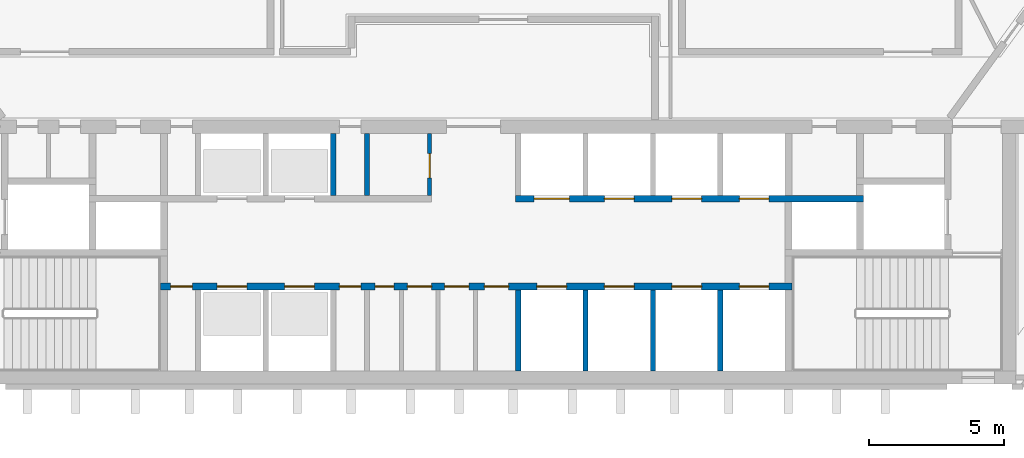
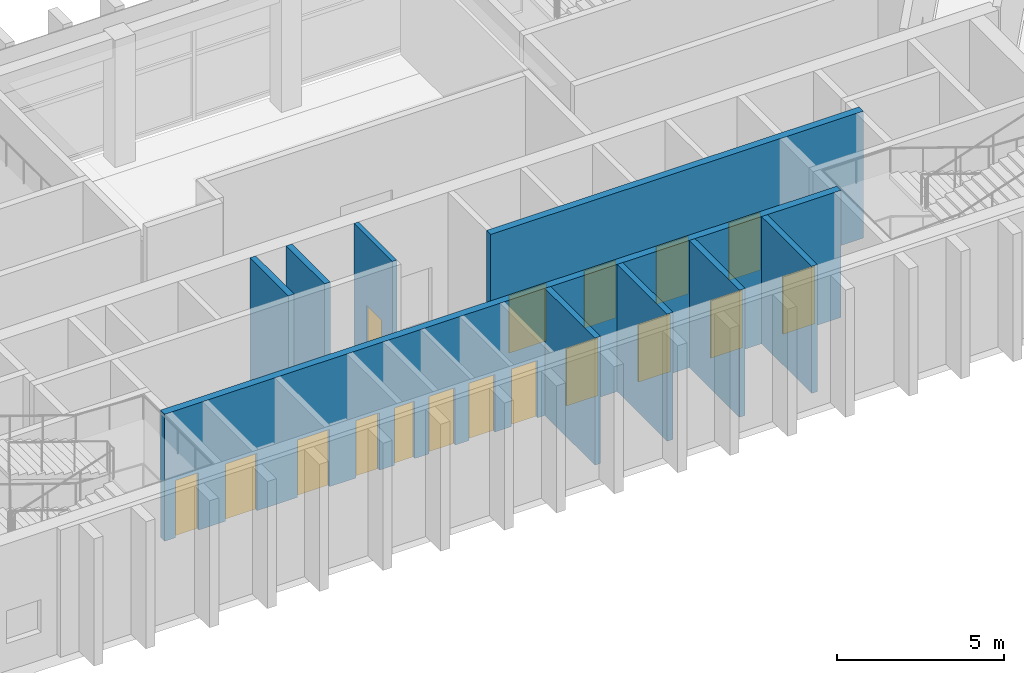
# One storey, part 9 of 14: 17 doors, 9 walls, 17 openings.
"""IFC4 building model written with IfcOpenShell, lengths in metres."""

from ifc_helpers import new_model, si_unit, direction, frame, frame_2d, origin, place, context, subcontext, project, spatial, rectangle, extrude, material, layer, layer_set, type_object, element, fill, save


model = new_model("IFC4")

# Units and contexts
model_context = context("Model", 3, precision=1e-05, world=origin(), true_north=direction((0.0, 1.0)))
body_context = subcontext(model_context, "Body", "Model", "MODEL_VIEW")
ifc_project = project(units=[si_unit("LENGTHUNIT", "METRE"), si_unit("AREAUNIT", "SQUARE_METRE"), si_unit("VOLUMEUNIT", "CUBIC_METRE"), si_unit("PLANEANGLEUNIT", "RADIAN"), si_unit("MASSUNIT", "GRAM", prefix="KILO")], contexts=[model_context])

# Site, building, storey
site_placement = place(None, origin())
site = spatial("IfcSite", under=ifc_project, at=site_placement, CompositionType="ELEMENT")
building_placement = place(site_placement, origin())
building = spatial("IfcBuilding", under=site, at=building_placement, Name="Quipu Civic Tower", CompositionType="ELEMENT")
storey_placement = place(building_placement, frame((0.0, 0.0, 248.0)))
storey = spatial("IfcBuildingStorey", under=building, at=storey_placement, Name="L58", CompositionType="ELEMENT", Elevation=248.0)

# Wall, openings, doors
ifc_material_1 = material(Name="Concrete C70/85", Category="concrete")
ifc_layer_1 = layer(ifc_material_1, 0.25)
ifc_layer_set_1 = layer_set([ifc_layer_1], Name="Concrete C70/85")
wall_type_1 = type_object("IfcWallType", Name="Core wall 250", PredefinedType="SHEAR", material=ifc_layer_set_1)
wall_1_placement = place(storey_placement, frame((11.699951171875, -7.375, 0.0), z_axis=(0.0, 0.0, 1.0), x_axis=(-1.0, 0.0, 0.0)))
wall_1 = element("IfcWall", 1, at=wall_1_placement, inside=storey, type_object=wall_type_1, Name="Core wall", PredefinedType="SHEAR", context=body_context, shape_type="SweptSolid", body=[
    extrude(rectangle(XDim=23.39990234375, YDim=0.25, at=frame_2d((11.699951171875, 0.0))), origin(), (0.0, 0.0, 1.0), 4.64990234375),
])
opening_1_placement = place(wall_1_placement, frame((22.22509765625, 0.0, 0.0)))
opening_1 = element("IfcOpeningElement", 2, at=opening_1_placement, cuts=wall_1, Name="Opening CD-01", PredefinedType="OPENING", context=body_context, shape_type="SweptSolid", body=[
    extrude(rectangle(XDim=0.800048828125, YDim=2.10009765625, at=frame_2d((0.39990234375, 1.050048828125))), frame((0.0, 0.135009765625, 0.0), z_axis=(0.0, -1.0, 0.0), x_axis=(1.0, 0.0, 0.0)), (0.0, 0.0, 1.0), 0.27001953125),
])
opening_2_placement = place(wall_1_placement, frame((20.199951171875, 0.0, 0.0)))
opening_2 = element("IfcOpeningElement", 3, at=opening_2_placement, cuts=wall_1, Name="Opening LD-HL1", PredefinedType="OPENING", context=body_context, shape_type="SweptSolid", body=[
    extrude(rectangle(XDim=1.10009765625, YDim=2.10009765625, at=frame_2d((0.550048828125, 1.050048828125))), frame((0.0, 0.135009765625, 0.0), z_axis=(0.0, -1.0, 0.0), x_axis=(1.0, 0.0, 0.0)), (0.0, 0.0, 1.0), 0.27001953125),
])
opening_3_placement = place(wall_1_placement, frame((17.699951171875, 0.0, 0.0)))
opening_3 = element("IfcOpeningElement", 4, at=opening_3_placement, cuts=wall_1, Name="Opening LD-HL2", PredefinedType="OPENING", context=body_context, shape_type="SweptSolid", body=[
    extrude(rectangle(XDim=1.10009765625, YDim=2.10009765625, at=frame_2d((0.550048828125, 1.050048828125))), frame((0.0, 0.135009765625, 0.0), z_axis=(0.0, -1.0, 0.0), x_axis=(1.0, 0.0, 0.0)), (0.0, 0.0, 1.0), 0.27001953125),
])
opening_4_placement = place(wall_1_placement, frame((15.97509765625, 0.0, 0.0)))
opening_4 = element("IfcOpeningElement", 5, at=opening_4_placement, cuts=wall_1, Name="Opening CD-02", PredefinedType="OPENING", context=body_context, shape_type="SweptSolid", body=[
    extrude(rectangle(XDim=0.800048828125, YDim=2.10009765625, at=frame_2d((0.39990234375, 1.050048828125))), frame((0.0, 0.135009765625, 0.0), z_axis=(0.0, -1.0, 0.0), x_axis=(1.0, 0.0, 0.0)), (0.0, 0.0, 1.0), 0.27001953125),
])
opening_5_placement = place(wall_1_placement, frame((14.75, 0.0, 0.0)))
opening_5 = element("IfcOpeningElement", 6, at=opening_5_placement, cuts=wall_1, Name="Opening CD-03", PredefinedType="OPENING", context=body_context, shape_type="SweptSolid", body=[
    extrude(rectangle(XDim=0.699951171875, YDim=2.10009765625, at=frame_2d((0.35009765625, 1.050048828125))), frame((0.0, 0.135009765625, 0.0), z_axis=(0.0, -1.0, 0.0), x_axis=(1.0, 0.0, 0.0)), (0.0, 0.0, 1.0), 0.27001953125),
])
opening_6_placement = place(wall_1_placement, frame((13.35009765625, 0.0, 0.0)))
opening_6 = element("IfcOpeningElement", 7, at=opening_6_placement, cuts=wall_1, Name="Opening CD-04", PredefinedType="OPENING", context=body_context, shape_type="SweptSolid", body=[
    extrude(rectangle(XDim=0.89990234375, YDim=2.10009765625, at=frame_2d((0.449951171875, 1.050048828125))), frame((0.0, 0.135009765625, 0.0), z_axis=(0.0, -1.0, 0.0), x_axis=(1.0, 0.0, 0.0)), (0.0, 0.0, 1.0), 0.27001953125),
])
opening_7_placement = place(wall_1_placement, frame((11.97509765625, 0.0, 0.0)))
opening_7 = element("IfcOpeningElement", 8, at=opening_7_placement, cuts=wall_1, Name="Opening CD-05", PredefinedType="OPENING", context=body_context, shape_type="SweptSolid", body=[
    extrude(rectangle(XDim=0.89990234375, YDim=2.10009765625, at=frame_2d((0.449951171875, 1.050048828125))), frame((0.0, 0.135009765625, 0.0), z_axis=(0.0, -1.0, 0.0), x_axis=(1.0, 0.0, 0.0)), (0.0, 0.0, 1.0), 0.27001953125),
])
opening_8_placement = place(wall_1_placement, frame((10.5, 0.0, 0.0)))
opening_8 = element("IfcOpeningElement", 9, at=opening_8_placement, cuts=wall_1, Name="Opening CD-06", PredefinedType="OPENING", context=body_context, shape_type="SweptSolid", body=[
    extrude(rectangle(XDim=0.89990234375, YDim=2.10009765625, at=frame_2d((0.449951171875, 1.050048828125))), frame((0.0, 0.135009765625, 0.0), z_axis=(0.0, -1.0, 0.0), x_axis=(1.0, 0.0, 0.0)), (0.0, 0.0, 1.0), 0.27001953125),
])
opening_9_placement = place(wall_1_placement, frame((8.35009765625, 0.0, 0.0)))
opening_9 = element("IfcOpeningElement", 10, at=opening_9_placement, cuts=wall_1, Name="Opening LD-ML1", PredefinedType="OPENING", context=body_context, shape_type="SweptSolid", body=[
    extrude(rectangle(XDim=1.10009765625, YDim=2.10009765625, at=frame_2d((0.550048828125, 1.050048828125))), frame((0.0, 0.135009765625, 0.0), z_axis=(0.0, -1.0, 0.0), x_axis=(1.0, 0.0, 0.0)), (0.0, 0.0, 1.0), 0.27001953125),
])
opening_10_placement = place(wall_1_placement, frame((5.85009765625, 0.0, 0.0)))
opening_10 = element("IfcOpeningElement", 11, at=opening_10_placement, cuts=wall_1, Name="Opening LD-ML2", PredefinedType="OPENING", context=body_context, shape_type="SweptSolid", body=[
    extrude(rectangle(XDim=1.10009765625, YDim=2.10009765625, at=frame_2d((0.550048828125, 1.050048828125))), frame((0.0, 0.135009765625, 0.0), z_axis=(0.0, -1.0, 0.0), x_axis=(1.0, 0.0, 0.0)), (0.0, 0.0, 1.0), 0.27001953125),
])
opening_11_placement = place(wall_1_placement, frame((3.35009765625, 0.0, 0.0)))
opening_11 = element("IfcOpeningElement", 12, at=opening_11_placement, cuts=wall_1, Name="Opening LD-ML3", PredefinedType="OPENING", context=body_context, shape_type="SweptSolid", body=[
    extrude(rectangle(XDim=1.10009765625, YDim=2.10009765625, at=frame_2d((0.550048828125, 1.050048828125))), frame((0.0, 0.135009765625, 0.0), z_axis=(0.0, -1.0, 0.0), x_axis=(1.0, 0.0, 0.0)), (0.0, 0.0, 1.0), 0.27001953125),
])
opening_12_placement = place(wall_1_placement, frame((0.85009765625, 0.0, 0.0)))
opening_12 = element("IfcOpeningElement", 13, at=opening_12_placement, cuts=wall_1, Name="Opening LD-ML4", PredefinedType="OPENING", context=body_context, shape_type="SweptSolid", body=[
    extrude(rectangle(XDim=1.10009765625, YDim=2.10009765625, at=frame_2d((0.550048828125, 1.050048828125))), frame((0.0, 0.135009765625, 0.0), z_axis=(0.0, -1.0, 0.0), x_axis=(1.0, 0.0, 0.0)), (0.0, 0.0, 1.0), 0.27001953125),
])
ifc_material_2 = material(Name="Fire rated steel door", Category="steel")
door_type_1 = type_object("IfcDoorType", Name="Fire door FD60 700 x 2100", OperationType="NOTDEFINED", PredefinedType="DOOR", material=ifc_material_2)
door_1_placement = place(opening_5_placement, origin())
door_1 = element("IfcDoor", 14, at=door_1_placement, inside=storey, type_object=door_type_1, Name="Door", OperationType="SINGLE_SWING_RIGHT", OverallHeight=2.10009765625, OverallWidth=0.699951171875, PredefinedType="DOOR", context=body_context, shape_type="SweptSolid", body=[
    extrude(rectangle(XDim=0.699951171875, YDim=2.10009765625, at=frame_2d((0.35009765625, 1.050048828125))), frame((0.0, 0.02490234375, 0.0), z_axis=(0.0, -1.0, 0.0), x_axis=(1.0, 0.0, 0.0)), (0.0, 0.0, 1.0), 0.050048828125),
])
fill(opening_5, door_1)
ifc_material_3 = material(Name="Fire rated steel door", Category="steel")
door_type_2 = type_object("IfcDoorType", Name="Fire door FD60 800 x 2100", OperationType="NOTDEFINED", PredefinedType="DOOR", material=ifc_material_3)
door_2_placement = place(opening_1_placement, origin())
door_2 = element("IfcDoor", 15, at=door_2_placement, inside=storey, type_object=door_type_2, Name="Door", OperationType="SINGLE_SWING_RIGHT", OverallHeight=2.10009765625, OverallWidth=0.800048828125, PredefinedType="DOOR", context=body_context, shape_type="SweptSolid", body=[
    extrude(rectangle(XDim=0.800048828125, YDim=2.10009765625, at=frame_2d((0.39990234375, 1.050048828125))), frame((0.0, 0.02490234375, 0.0), z_axis=(0.0, -1.0, 0.0), x_axis=(1.0, 0.0, 0.0)), (0.0, 0.0, 1.0), 0.050048828125),
])
fill(opening_1, door_2)
door_3_placement = place(opening_4_placement, origin())
door_3 = element("IfcDoor", 16, at=door_3_placement, inside=storey, type_object=door_type_2, Name="Door", OperationType="SINGLE_SWING_RIGHT", OverallHeight=2.10009765625, OverallWidth=0.800048828125, PredefinedType="DOOR", context=body_context, shape_type="SweptSolid", body=[
    extrude(rectangle(XDim=0.800048828125, YDim=2.10009765625, at=frame_2d((0.39990234375, 1.050048828125))), frame((0.0, 0.02490234375, 0.0), z_axis=(0.0, -1.0, 0.0), x_axis=(1.0, 0.0, 0.0)), (0.0, 0.0, 1.0), 0.050048828125),
])
fill(opening_4, door_3)
ifc_material_4 = material(Name="Fire rated steel door", Category="steel")
door_type_3 = type_object("IfcDoorType", Name="Fire door FD60 900 x 2100", OperationType="NOTDEFINED", PredefinedType="DOOR", material=ifc_material_4)
door_4_placement = place(opening_6_placement, origin())
door_4 = element("IfcDoor", 17, at=door_4_placement, inside=storey, type_object=door_type_3, Name="WC door", OperationType="SINGLE_SWING_RIGHT", OverallHeight=2.10009765625, OverallWidth=0.89990234375, PredefinedType="DOOR", context=body_context, shape_type="SweptSolid", body=[
    extrude(rectangle(XDim=0.89990234375, YDim=2.10009765625, at=frame_2d((0.449951171875, 1.050048828125))), frame((0.0, 0.02490234375, 0.0), z_axis=(0.0, -1.0, 0.0), x_axis=(1.0, 0.0, 0.0)), (0.0, 0.0, 1.0), 0.050048828125),
])
fill(opening_6, door_4)
door_5_placement = place(opening_7_placement, origin())
door_5 = element("IfcDoor", 18, at=door_5_placement, inside=storey, type_object=door_type_3, Name="WC door", OperationType="SINGLE_SWING_RIGHT", OverallHeight=2.10009765625, OverallWidth=0.89990234375, PredefinedType="DOOR", context=body_context, shape_type="SweptSolid", body=[
    extrude(rectangle(XDim=0.89990234375, YDim=2.10009765625, at=frame_2d((0.449951171875, 1.050048828125))), frame((0.0, 0.02490234375, 0.0), z_axis=(0.0, -1.0, 0.0), x_axis=(1.0, 0.0, 0.0)), (0.0, 0.0, 1.0), 0.050048828125),
])
fill(opening_7, door_5)
door_6_placement = place(opening_8_placement, origin())
door_6 = element("IfcDoor", 19, at=door_6_placement, inside=storey, type_object=door_type_3, Name="WC door", OperationType="SINGLE_SWING_LEFT", OverallHeight=2.10009765625, OverallWidth=0.89990234375, PredefinedType="DOOR", context=body_context, shape_type="SweptSolid", body=[
    extrude(rectangle(XDim=0.89990234375, YDim=2.10009765625, at=frame_2d((0.449951171875, 1.050048828125))), frame((0.0, 0.02490234375, 0.0), z_axis=(0.0, -1.0, 0.0), x_axis=(1.0, 0.0, 0.0)), (0.0, 0.0, 1.0), 0.050048828125),
])
fill(opening_8, door_6)
ifc_material_5 = material(Name="Stainless steel", Category="steel")
door_type_4 = type_object("IfcDoorType", Name="Lift landing door 1100 x 2100", OperationType="DOUBLE_DOOR_SLIDING", PredefinedType="DOOR", material=ifc_material_5)
door_7_placement = place(opening_2_placement, origin())
door_7 = element("IfcDoor", 20, at=door_7_placement, inside=storey, type_object=door_type_4, Name="Landing door HL1", OperationType="DOUBLE_DOOR_SLIDING", OverallHeight=2.10009765625, OverallWidth=1.10009765625, PredefinedType="DOOR", context=body_context, shape_type="SweptSolid", body=[
    extrude(rectangle(XDim=1.10009765625, YDim=2.10009765625, at=frame_2d((0.550048828125, 1.050048828125))), frame((0.0, 0.02490234375, 0.0), z_axis=(0.0, -1.0, 0.0), x_axis=(1.0, 0.0, 0.0)), (0.0, 0.0, 1.0), 0.050048828125),
])
fill(opening_2, door_7)
door_8_placement = place(opening_3_placement, origin())
door_8 = element("IfcDoor", 21, at=door_8_placement, inside=storey, type_object=door_type_4, Name="Landing door HL2", OperationType="DOUBLE_DOOR_SLIDING", OverallHeight=2.10009765625, OverallWidth=1.10009765625, PredefinedType="DOOR", context=body_context, shape_type="SweptSolid", body=[
    extrude(rectangle(XDim=1.10009765625, YDim=2.10009765625, at=frame_2d((0.550048828125, 1.050048828125))), frame((0.0, 0.02490234375, 0.0), z_axis=(0.0, -1.0, 0.0), x_axis=(1.0, 0.0, 0.0)), (0.0, 0.0, 1.0), 0.050048828125),
])
fill(opening_3, door_8)
door_9_placement = place(opening_9_placement, origin())
door_9 = element("IfcDoor", 22, at=door_9_placement, inside=storey, type_object=door_type_4, Name="Landing door ML1", OperationType="DOUBLE_DOOR_SLIDING", OverallHeight=2.10009765625, OverallWidth=1.10009765625, PredefinedType="DOOR", context=body_context, shape_type="SweptSolid", body=[
    extrude(rectangle(XDim=1.10009765625, YDim=2.10009765625, at=frame_2d((0.550048828125, 1.050048828125))), frame((0.0, 0.02490234375, 0.0), z_axis=(0.0, -1.0, 0.0), x_axis=(1.0, 0.0, 0.0)), (0.0, 0.0, 1.0), 0.050048828125),
])
fill(opening_9, door_9)
door_10_placement = place(opening_10_placement, origin())
door_10 = element("IfcDoor", 23, at=door_10_placement, inside=storey, type_object=door_type_4, Name="Landing door ML2", OperationType="DOUBLE_DOOR_SLIDING", OverallHeight=2.10009765625, OverallWidth=1.10009765625, PredefinedType="DOOR", context=body_context, shape_type="SweptSolid", body=[
    extrude(rectangle(XDim=1.10009765625, YDim=2.10009765625, at=frame_2d((0.550048828125, 1.050048828125))), frame((0.0, 0.02490234375, 0.0), z_axis=(0.0, -1.0, 0.0), x_axis=(1.0, 0.0, 0.0)), (0.0, 0.0, 1.0), 0.050048828125),
])
fill(opening_10, door_10)
door_11_placement = place(opening_11_placement, origin())
door_11 = element("IfcDoor", 24, at=door_11_placement, inside=storey, type_object=door_type_4, Name="Landing door ML3", OperationType="DOUBLE_DOOR_SLIDING", OverallHeight=2.10009765625, OverallWidth=1.10009765625, PredefinedType="DOOR", context=body_context, shape_type="SweptSolid", body=[
    extrude(rectangle(XDim=1.10009765625, YDim=2.10009765625, at=frame_2d((0.550048828125, 1.050048828125))), frame((0.0, 0.02490234375, 0.0), z_axis=(0.0, -1.0, 0.0), x_axis=(1.0, 0.0, 0.0)), (0.0, 0.0, 1.0), 0.050048828125),
])
fill(opening_11, door_11)
door_12_placement = place(opening_12_placement, origin())
door_12 = element("IfcDoor", 25, at=door_12_placement, inside=storey, type_object=door_type_4, Name="Landing door ML4", OperationType="DOUBLE_DOOR_SLIDING", OverallHeight=2.10009765625, OverallWidth=1.10009765625, PredefinedType="DOOR", context=body_context, shape_type="SweptSolid", body=[
    extrude(rectangle(XDim=1.10009765625, YDim=2.10009765625, at=frame_2d((0.550048828125, 1.050048828125))), frame((0.0, 0.02490234375, 0.0), z_axis=(0.0, -1.0, 0.0), x_axis=(1.0, 0.0, 0.0)), (0.0, 0.0, 1.0), 0.050048828125),
])
fill(opening_12, door_12)

wall_2_placement = place(storey_placement, frame((1.449951171875, -4.125, 0.0), z_axis=(0.0, 0.0, 1.0), x_axis=(1.0, 0.0, 0.0)))
wall_2 = element("IfcWall", 26, at=wall_2_placement, inside=storey, type_object=wall_type_1, Name="Core wall", PredefinedType="SHEAR", context=body_context, shape_type="SweptSolid", body=[
    extrude(rectangle(XDim=12.900146484375, YDim=0.25, at=frame_2d((6.4501953125, 0.0))), origin(), (0.0, 0.0, 1.0), 4.64990234375),
])
opening_13_placement = place(wall_2_placement, frame((0.699951171875, 0.0, 0.0)))
opening_13 = element("IfcOpeningElement", 27, at=opening_13_placement, cuts=wall_2, Name="Opening LD-FF3", PredefinedType="OPENING", context=body_context, shape_type="SweptSolid", body=[
    extrude(rectangle(XDim=1.300048828125, YDim=2.10009765625, at=frame_2d((0.64990234375, 1.050048828125))), frame((0.0, 0.135009765625, 0.0), z_axis=(0.0, -1.0, 0.0), x_axis=(1.0, 0.0, 0.0)), (0.0, 0.0, 1.0), 0.27001953125),
])
opening_14_placement = place(wall_2_placement, frame((3.300048828125, 0.0, 0.0)))
opening_14 = element("IfcOpeningElement", 28, at=opening_14_placement, cuts=wall_2, Name="Opening LD-ML5", PredefinedType="OPENING", context=body_context, shape_type="SweptSolid", body=[
    extrude(rectangle(XDim=1.10009765625, YDim=2.10009765625, at=frame_2d((0.550048828125, 1.050048828125))), frame((0.0, 0.135009765625, 0.0), z_axis=(0.0, -1.0, 0.0), x_axis=(1.0, 0.0, 0.0)), (0.0, 0.0, 1.0), 0.27001953125),
])
opening_15_placement = place(wall_2_placement, frame((5.800048828125, 0.0, 0.0)))
opening_15 = element("IfcOpeningElement", 29, at=opening_15_placement, cuts=wall_2, Name="Opening LD-ML6", PredefinedType="OPENING", context=body_context, shape_type="SweptSolid", body=[
    extrude(rectangle(XDim=1.10009765625, YDim=2.10009765625, at=frame_2d((0.550048828125, 1.050048828125))), frame((0.0, 0.135009765625, 0.0), z_axis=(0.0, -1.0, 0.0), x_axis=(1.0, 0.0, 0.0)), (0.0, 0.0, 1.0), 0.27001953125),
])
opening_16_placement = place(wall_2_placement, frame((8.300048828125, 0.0, 0.0)))
opening_16 = element("IfcOpeningElement", 30, at=opening_16_placement, cuts=wall_2, Name="Opening LD-ML7", PredefinedType="OPENING", context=body_context, shape_type="SweptSolid", body=[
    extrude(rectangle(XDim=1.10009765625, YDim=2.10009765625, at=frame_2d((0.550048828125, 1.050048828125))), frame((0.0, 0.135009765625, 0.0), z_axis=(0.0, -1.0, 0.0), x_axis=(1.0, 0.0, 0.0)), (0.0, 0.0, 1.0), 0.27001953125),
])
door_13_placement = place(opening_14_placement, origin())
door_13 = element("IfcDoor", 31, at=door_13_placement, inside=storey, type_object=door_type_4, Name="Landing door ML5", OperationType="DOUBLE_DOOR_SLIDING", OverallHeight=2.10009765625, OverallWidth=1.10009765625, PredefinedType="DOOR", context=body_context, shape_type="SweptSolid", body=[
    extrude(rectangle(XDim=1.10009765625, YDim=2.10009765625, at=frame_2d((0.550048828125, 1.050048828125))), frame((0.0, 0.02490234375, 0.0), z_axis=(0.0, -1.0, 0.0), x_axis=(1.0, 0.0, 0.0)), (0.0, 0.0, 1.0), 0.050048828125),
])
fill(opening_14, door_13)
door_14_placement = place(opening_15_placement, origin())
door_14 = element("IfcDoor", 32, at=door_14_placement, inside=storey, type_object=door_type_4, Name="Landing door ML6", OperationType="DOUBLE_DOOR_SLIDING", OverallHeight=2.10009765625, OverallWidth=1.10009765625, PredefinedType="DOOR", context=body_context, shape_type="SweptSolid", body=[
    extrude(rectangle(XDim=1.10009765625, YDim=2.10009765625, at=frame_2d((0.550048828125, 1.050048828125))), frame((0.0, 0.02490234375, 0.0), z_axis=(0.0, -1.0, 0.0), x_axis=(1.0, 0.0, 0.0)), (0.0, 0.0, 1.0), 0.050048828125),
])
fill(opening_15, door_14)
door_15_placement = place(opening_16_placement, origin())
door_15 = element("IfcDoor", 33, at=door_15_placement, inside=storey, type_object=door_type_4, Name="Landing door ML7", OperationType="DOUBLE_DOOR_SLIDING", OverallHeight=2.10009765625, OverallWidth=1.10009765625, PredefinedType="DOOR", context=body_context, shape_type="SweptSolid", body=[
    extrude(rectangle(XDim=1.10009765625, YDim=2.10009765625, at=frame_2d((0.550048828125, 1.050048828125))), frame((0.0, 0.02490234375, 0.0), z_axis=(0.0, -1.0, 0.0), x_axis=(1.0, 0.0, 0.0)), (0.0, 0.0, 1.0), 0.050048828125),
])
fill(opening_16, door_15)
ifc_material_6 = material(Name="Stainless steel", Category="steel")
door_type_5 = type_object("IfcDoorType", Name="Lift landing door 1300 x 2100", OperationType="DOUBLE_DOOR_SLIDING", PredefinedType="DOOR", material=ifc_material_6)
door_16_placement = place(opening_13_placement, origin())
door_16 = element("IfcDoor", 34, at=door_16_placement, inside=storey, type_object=door_type_5, Name="Landing door FF3", OperationType="DOUBLE_DOOR_SLIDING", OverallHeight=2.10009765625, OverallWidth=1.300048828125, PredefinedType="DOOR", context=body_context, shape_type="SweptSolid", body=[
    extrude(rectangle(XDim=1.300048828125, YDim=2.10009765625, at=frame_2d((0.64990234375, 1.050048828125))), frame((0.0, 0.02490234375, 0.0), z_axis=(0.0, -1.0, 0.0), x_axis=(1.0, 0.0, 0.0)), (0.0, 0.0, 1.0), 0.050048828125),
])
fill(opening_13, door_16)

# Wall, opening, door
ifc_material_7 = material(Name="Gypsum board partition")
ifc_layer_2 = layer(ifc_material_7, 0.14990234375)
ifc_layer_set_2 = layer_set([ifc_layer_2], Name="Gypsum board partition")
wall_type_2 = type_object("IfcWallType", Name="Partition 150", PredefinedType="PARTITIONING", material=ifc_layer_set_2)
wall_3_placement = place(storey_placement, frame((-1.72509765625, -1.699951171875, 0.0), z_axis=(0.0, 0.0, 1.0), x_axis=(0.0, -1.0, 0.0)))
wall_3 = element("IfcWall", 35, at=wall_3_placement, inside=storey, type_object=wall_type_2, Name="Partition", PredefinedType="PARTITIONING", context=body_context, shape_type="SweptSolid", body=[
    extrude(rectangle(XDim=2.300048828125, YDim=0.14990234375, at=frame_2d((1.14990234375, 0.0))), origin(), (0.0, 0.0, 1.0), 4.64990234375),
])
opening_17_placement = place(wall_3_placement, frame((0.75, 0.0, 0.0)))
opening_17 = element("IfcOpeningElement", 36, at=opening_17_placement, cuts=wall_3, Name="Opening CD-09", PredefinedType="OPENING", context=body_context, shape_type="SweptSolid", body=[
    extrude(rectangle(XDim=0.89990234375, YDim=2.10009765625, at=frame_2d((0.449951171875, 1.050048828125))), frame((0.0, 0.0849609375, 0.0), z_axis=(0.0, -1.0, 0.0), x_axis=(1.0, 0.0, 0.0)), (0.0, 0.0, 1.0), 0.169921875),
])
door_17_placement = place(opening_17_placement, origin())
door_17 = element("IfcDoor", 37, at=door_17_placement, inside=storey, type_object=door_type_3, Name="WC door", OperationType="SINGLE_SWING_RIGHT", OverallHeight=2.10009765625, OverallWidth=0.89990234375, PredefinedType="DOOR", context=body_context, shape_type="SweptSolid", body=[
    extrude(rectangle(XDim=0.89990234375, YDim=2.10009765625, at=frame_2d((0.449951171875, 1.050048828125))), frame((0.0, 0.02490234375, 0.0), z_axis=(0.0, -1.0, 0.0), x_axis=(1.0, 0.0, 0.0)), (0.0, 0.0, 1.0), 0.050048828125),
])
fill(opening_17, door_17)

# Walls
ifc_material_8 = material(Name="Concrete C40/50", Category="concrete")
ifc_layer_3 = layer(ifc_material_8, 0.199951171875)
ifc_layer_set_3 = layer_set([ifc_layer_3], Name="Concrete C40/50")
wall_type_3 = type_object("IfcWallType", Name="Shaft wall 200", PredefinedType="SOLIDWALL", material=ifc_layer_set_3)
for number, where, z_axis, x_axis, name in (
    (38, (1.550048828125, -10.5, 0.0), (0.0, 0.0, 1.0), (0.0, 1.0, 0.0), "Shaft wall"),
    (39, (4.050048828125, -10.5, 0.0), (0.0, 0.0, 1.0), (0.0, 1.0, 0.0), "Shaft wall"),
    (40, (6.550048828125, -10.5, 0.0), (0.0, 0.0, 1.0), (0.0, 1.0, 0.0), "Shaft wall"),
    (41, (9.050048828125, -10.5, 0.0), (0.0, 0.0, 1.0), (0.0, 1.0, 0.0), "Shaft wall"),
):
    element("IfcWall", number, at=place(storey_placement, frame(where, z_axis=z_axis, x_axis=x_axis)), inside=storey, type_object=wall_type_3, Name=name, PredefinedType="SOLIDWALL", context=body_context, shape_type="SweptSolid", body=[
        extrude(rectangle(XDim=3.0, YDim=0.199951171875, at=frame_2d((1.5, 0.0))), origin(), (0.0, 0.0, 1.0), 4.64990234375),
    ])
for number, where, z_axis, x_axis, name in (
    (42, (-5.300048828125, -4.0, 0.0), (0.0, 0.0, 1.0), (0.0, 1.0, 0.0), "Shaft wall"),
    (43, (-4.050048828125, -4.0, 0.0), (0.0, 0.0, 1.0), (0.0, 1.0, 0.0), "Shaft wall"),
):
    element("IfcWall", number, at=place(storey_placement, frame(where, z_axis=z_axis, x_axis=x_axis)), inside=storey, type_object=wall_type_3, Name=name, PredefinedType="SOLIDWALL", context=body_context, shape_type="SweptSolid", body=[
        extrude(rectangle(XDim=2.300048828125, YDim=0.199951171875, at=frame_2d((1.14990234375, 0.0))), origin(), (0.0, 0.0, 1.0), 4.64990234375),
    ])

save(model, "model.ifc")
